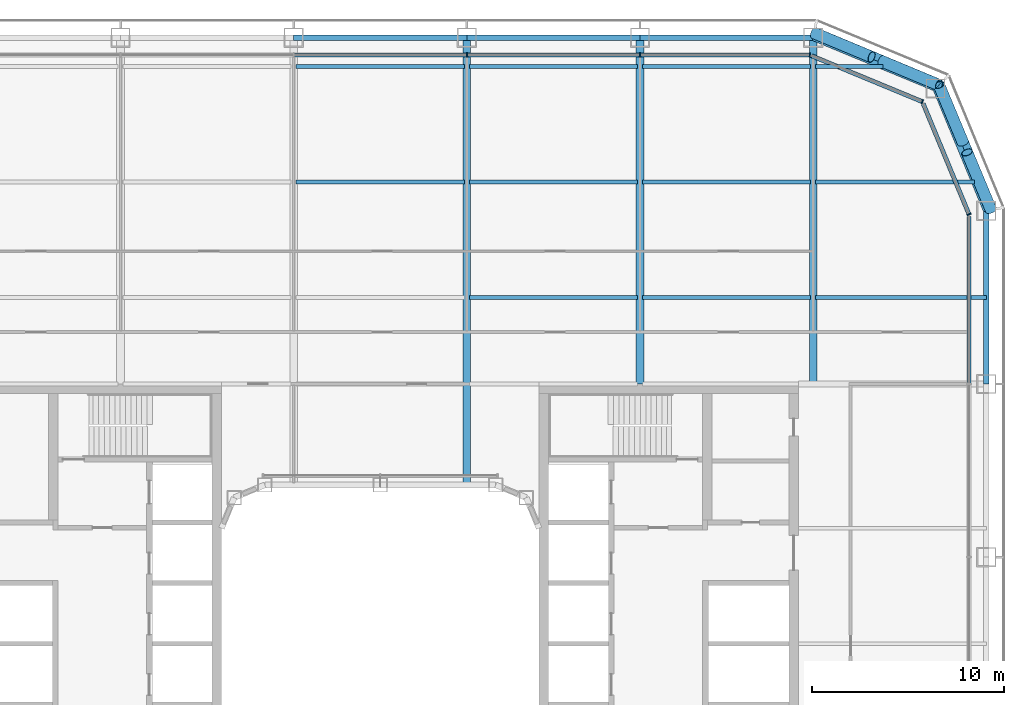
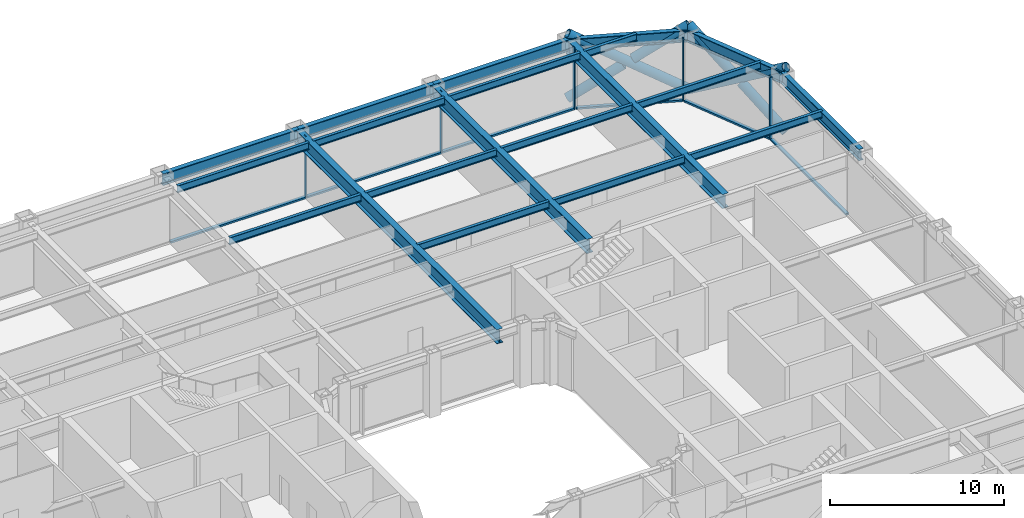
# One storey, part 10 of 24: 20 beams, 17 members, 4 elements without a shape of their own.
"""IFC4 building model written with IfcOpenShell, lengths in metres."""

from ifc_helpers import new_model, si_unit, direction, frame, origin, origin_2d, place, context, subcontext, project, spatial, rectangle, hollow_circle, i_section, extrude, material, layer, layer_set, material_profile, profile_set, type_object, element, aggregate, save


model = new_model("IFC4")

# Units and contexts
model_context = context("Model", 3, precision=1e-05, world=origin(), true_north=direction((0.0, 1.0)))
body_context = subcontext(model_context, "Body", "Model", "MODEL_VIEW")
ifc_project = project(units=[si_unit("LENGTHUNIT", "METRE"), si_unit("AREAUNIT", "SQUARE_METRE"), si_unit("VOLUMEUNIT", "CUBIC_METRE"), si_unit("PLANEANGLEUNIT", "RADIAN"), si_unit("MASSUNIT", "GRAM", prefix="KILO")], contexts=[model_context])

# Site, building, storey
site_placement = place(None, origin())
site = spatial("IfcSite", under=ifc_project, at=site_placement, CompositionType="ELEMENT")
building_placement = place(site_placement, origin())
building = spatial("IfcBuilding", under=site, at=building_placement, Name="Siwar Civic Tower", CompositionType="ELEMENT")
storey_placement = place(building_placement, frame((0.0, 0.0, 76.199951171875)))
storey = spatial("IfcBuildingStorey", under=building, at=storey_placement, Name="L16", CompositionType="ELEMENT", Elevation=76.199951171875)

# Curtain wall, member
ifc_material_1 = material(Name="Aluminium clad insulated panel", Category="aluminium")
ifc_layer_1 = layer(ifc_material_1, 0.219970703125)
ifc_layer_set_1 = layer_set([ifc_layer_1], Name="Aluminium clad insulated panel")
curtain_wall_type_1 = type_object("IfcCurtainWallType", Name="ENV-CW-AX", PredefinedType="NOTDEFINED", material=ifc_layer_set_1)
curtain_wall_1_placement = place(storey_placement, origin())
curtain_wall_1 = element("IfcCurtainWall", 1, at=curtain_wall_1_placement, inside=storey, type_object=curtain_wall_type_1, Name="Curtain wall A NE1", PredefinedType="NOTDEFINED")
ifc_material_2 = material(Name="Aluminium 6063-T6", Category="aluminium")
ifc_material_profile_1 = material_profile(ifc_material_2, rectangle(XDim=0.219970703125, YDim=0.070068359375, at=origin_2d()), Name="AL 220x70")
ifc_profile_set_1 = profile_set([ifc_material_profile_1], Name="Aluminium 6063-T6")
member_type_1 = type_object("IfcMemberType", Name="ENV-MULLION-A", PredefinedType="MULLION", material=ifc_profile_set_1)
member_1_placement = place(storey_placement, frame((30.60009765625, 22.321044921875, 0.0), z_axis=(0.0, 0.0, 1.0), x_axis=(-0.923879532511, -0.382683432365, 0.0)))
member_1 = element("IfcMember", 2, at=member_1_placement, type_object=member_type_1, Name="Mullion A NE1 1", PredefinedType="MULLION", context=body_context, shape_type="SweptSolid", body=[
    extrude(rectangle(XDim=0.219970703125, YDim=0.070068359375, at=origin_2d()), origin(), (0.0, 0.0, 1.0), 4.35009765625),
])

curtain_wall_2_placement = place(storey_placement, origin())
curtain_wall_2 = element("IfcCurtainWall", 3, at=curtain_wall_2_placement, inside=storey, type_object=curtain_wall_type_1, Name="Curtain wall A NE2", PredefinedType="NOTDEFINED")
member_2_placement = place(storey_placement, frame((28.175048828125, 28.175048828125, 0.0), z_axis=(0.0, 0.0, 1.0), x_axis=(-0.382683432365, -0.923879532511, 0.0)))
member_2 = element("IfcMember", 4, at=member_2_placement, type_object=member_type_1, Name="Mullion A NE2 1", PredefinedType="MULLION", context=body_context, shape_type="SweptSolid", body=[
    extrude(rectangle(XDim=0.219970703125, YDim=0.070068359375, at=origin_2d()), origin(), (0.0, 0.0, 1.0), 4.35009765625),
])

# Curtain wall, members
ifc_material_3 = material(Name="Aluminium and glass", Category="aluminium")
ifc_layer_2 = layer(ifc_material_3, 0.219970703125)
ifc_layer_set_2 = layer_set([ifc_layer_2], Name="Aluminium and glass")
curtain_wall_type_2 = type_object("IfcCurtainWallType", Name="ENV-CW-A", PredefinedType="NOTDEFINED", material=ifc_layer_set_2)
curtain_wall_3_placement = place(storey_placement, origin())
curtain_wall_3 = element("IfcCurtainWall", 5, at=curtain_wall_3_placement, inside=storey, type_object=curtain_wall_type_2, Name="Curtain wall A N", PredefinedType="NOTDEFINED")
member_3_placement = place(storey_placement, frame((22.321044921875, 30.60009765625, 0.0), z_axis=(0.0, 0.0, 1.0), x_axis=(0.0, -1.0, 0.0)))
member_3 = element("IfcMember", 6, at=member_3_placement, type_object=member_type_1, Name="Mullion A N 1", PredefinedType="MULLION", context=body_context, shape_type="SweptSolid", body=[
    extrude(rectangle(XDim=0.219970703125, YDim=0.070068359375, at=origin_2d()), origin(), (0.0, 0.0, 1.0), 4.35009765625),
])
member_4_placement = place(storey_placement, frame((13.5, 30.60009765625, 0.0), z_axis=(0.0, 0.0, 1.0), x_axis=(0.0, -1.0, 0.0)))
member_4 = element("IfcMember", 7, at=member_4_placement, type_object=member_type_1, Name="Mullion A N 2", PredefinedType="MULLION", context=body_context, shape_type="SweptSolid", body=[
    extrude(rectangle(XDim=0.219970703125, YDim=0.070068359375, at=origin_2d()), origin(), (0.0, 0.0, 1.0), 4.35009765625),
])
member_5_placement = place(storey_placement, frame((4.5, 30.60009765625, 0.0), z_axis=(0.0, 0.0, 1.0), x_axis=(0.0, -1.0, 0.0)))
member_5 = element("IfcMember", 8, at=member_5_placement, type_object=member_type_1, Name="Mullion A N 3", PredefinedType="MULLION", context=body_context, shape_type="SweptSolid", body=[
    extrude(rectangle(XDim=0.219970703125, YDim=0.070068359375, at=origin_2d()), origin(), (0.0, 0.0, 1.0), 4.35009765625),
])

# Curtain wall, member
curtain_wall_4_placement = place(storey_placement, origin())
curtain_wall_4 = element("IfcCurtainWall", 9, at=curtain_wall_4_placement, inside=storey, type_object=curtain_wall_type_2, Name="Curtain wall A E", PredefinedType="NOTDEFINED")
ifc_material_4 = material(Name="Aluminium 6063-T6", Category="aluminium")
ifc_material_profile_2 = material_profile(ifc_material_4, rectangle(XDim=0.219970703125, YDim=0.1201171875, at=origin_2d()), Name="AL 220x120")
ifc_profile_set_2 = profile_set([ifc_material_profile_2], Name="Aluminium 6063-T6")
member_type_2 = type_object("IfcMemberType", Name="ENV-TRANSOM-A", PredefinedType="USERDEFINED", material=ifc_profile_set_2)
member_6_placement = place(storey_placement, frame((30.60009765625, 13.534912109375, 0.06005859375), z_axis=(0.0, 1.0, 0.0), x_axis=(-1.0, 0.0, 0.0)))
member_6 = element("IfcMember", 10, at=member_6_placement, type_object=member_type_2, Name="Transom A E 5", ObjectType="TRANSOM", PredefinedType="USERDEFINED", context=body_context, shape_type="SweptSolid", body=[
    extrude(rectangle(XDim=0.219970703125, YDim=0.1201171875, at=origin_2d()), origin(), (0.0, 0.0, 1.0), 8.66357421875),
])
aggregate(curtain_wall_4, [member_6])

# Member
member_7_placement = place(storey_placement, frame((30.586669921875, 22.353271484375, 0.06005859375), z_axis=(-0.382698415042, 0.923873326341, 0.0), x_axis=(-0.923873326341, -0.382698415042, 0.0)))
member_7 = element("IfcMember", 11, at=member_7_placement, type_object=member_type_2, Name="Transom A NE1 1", ObjectType="TRANSOM", PredefinedType="USERDEFINED", context=body_context, shape_type="SweptSolid", body=[
    extrude(rectangle(XDim=0.219970703125, YDim=0.1201171875, at=origin_2d()), origin(), (0.0, 0.0, 1.0), 6.17919921875),
])

aggregate(curtain_wall_1, [member_1, member_7])

member_8_placement = place(storey_placement, frame((28.142822265625, 28.1884765625, 0.06005859375), z_axis=(-0.923873326341, 0.382698415042, 0.0), x_axis=(-0.382698415042, -0.923873326341, 0.0)))
member_8 = element("IfcMember", 12, at=member_8_placement, type_object=member_type_2, Name="Transom A NE2 1", ObjectType="TRANSOM", PredefinedType="USERDEFINED", context=body_context, shape_type="SweptSolid", body=[
    extrude(rectangle(XDim=0.219970703125, YDim=0.1201171875, at=origin_2d()), origin(), (0.0, 0.0, 1.0), 6.17919921875),
])

aggregate(curtain_wall_2, [member_2, member_8])

member_9_placement = place(storey_placement, frame((22.285888671875, 30.60009765625, 0.06005859375), z_axis=(-1.0, 0.0, 0.0), x_axis=(0.0, -1.0, 0.0)))
member_9 = element("IfcMember", 13, at=member_9_placement, type_object=member_type_2, Name="Transom A N 1", ObjectType="TRANSOM", PredefinedType="USERDEFINED", context=body_context, shape_type="SweptSolid", body=[
    extrude(rectangle(XDim=0.219970703125, YDim=0.1201171875, at=origin_2d()), origin(), (0.0, 0.0, 1.0), 8.7509765625),
])

member_10_placement = place(storey_placement, frame((13.465087890625, 30.60009765625, 0.06005859375), z_axis=(-1.0, 0.0, 0.0), x_axis=(0.0, -1.0, 0.0)))
member_10 = element("IfcMember", 14, at=member_10_placement, type_object=member_type_2, Name="Transom A N 2", ObjectType="TRANSOM", PredefinedType="USERDEFINED", context=body_context, shape_type="SweptSolid", body=[
    extrude(rectangle(XDim=0.219970703125, YDim=0.1201171875, at=origin_2d()), origin(), (0.0, 0.0, 1.0), 8.93017578125),
])

member_11_placement = place(storey_placement, frame((4.465087890625, 30.60009765625, 0.06005859375), z_axis=(-1.0, 0.0, 0.0), x_axis=(0.0, -1.0, 0.0)))
member_11 = element("IfcMember", 15, at=member_11_placement, type_object=member_type_2, Name="Transom A N 3", ObjectType="TRANSOM", PredefinedType="USERDEFINED", context=body_context, shape_type="SweptSolid", body=[
    extrude(rectangle(XDim=0.219970703125, YDim=0.1201171875, at=origin_2d()), origin(), (0.0, 0.0, 1.0), 8.93017578125),
])

aggregate(curtain_wall_3, [member_3, member_4, member_5, member_9, member_10, member_11])

# Members
ifc_material_5 = material(Name="Steel S355", Category="steel")
ifc_material_profile_3 = material_profile(ifc_material_5, hollow_circle(Radius=0.304931640625, WallThickness=0.030029296875, at=origin_2d()), Name="CHS610x30")
ifc_profile_set_3 = profile_set([ifc_material_profile_3], Name="Steel S355")
member_type_3 = type_object("IfcMemberType", Name="STR-BR-CHS610x30", PredefinedType="BRACE", material=ifc_profile_set_3)
member_12_placement = place(storey_placement, frame((29.040771484375, 29.040771484375, 0.0), z_axis=(-0.777554562952, 0.323905527954, 0.538975055633), x_axis=(-0.384538969033, -0.923108759191, 0.0)))
element("IfcMember", 16, at=member_12_placement, inside=storey, type_object=member_type_3, Name="L16/brc/ANE1-15-0-1", PredefinedType="BRACE", context=body_context, shape_type="SweptSolid", body=[
    extrude(hollow_circle(Radius=0.304931640625, WallThickness=0.030029296875, at=origin_2d()), origin(), (0.0, 0.0, 1.0), 8.34912109375),
])
member_13_placement = place(storey_placement, frame((22.548828125, 31.7451171875, 0.0), z_axis=(0.777533059308, -0.323882123145, 0.539020140617), x_axis=(0.384524353215, 0.923114847559, 0.0)))
element("IfcMember", 17, at=member_13_placement, inside=storey, type_object=member_type_3, Name="L16/brc/ANE1-15-0-2", PredefinedType="BRACE", context=body_context, shape_type="SweptSolid", body=[
    extrude(hollow_circle(Radius=0.304931640625, WallThickness=0.030029296875, at=origin_2d()), origin(), (0.0, 0.0, 1.0), 3.843505859375),
])
member_14_placement = place(storey_placement, frame((26.052001953125, 30.285888671875, 2.428466796875), z_axis=(0.777568797048, -0.323934068367, 0.538937366685), x_axis=(0.384561842466, 0.923099230484, 0.0)))
element("IfcMember", 18, at=member_14_placement, inside=storey, type_object=member_type_3, Name="L16/brc/ANE1-15-0-3", PredefinedType="BRACE", context=body_context, shape_type="SweptSolid", body=[
    extrude(hollow_circle(Radius=0.304931640625, WallThickness=0.030029296875, at=origin_2d()), origin(), (0.0, 0.0, 1.0), 3.84375),
])
member_15_placement = place(storey_placement, frame((29.040771484375, 29.040771484375, 0.0), z_axis=(0.323905527954, -0.777554562952, 0.538975055633), x_axis=(0.923108759191, 0.384538969033, 0.0)))
element("IfcMember", 19, at=member_15_placement, inside=storey, type_object=member_type_3, Name="L16/brc/ANE1-15-0-0", PredefinedType="BRACE", context=body_context, shape_type="SweptSolid", body=[
    extrude(hollow_circle(Radius=0.304931640625, WallThickness=0.030029296875, at=origin_2d()), origin(), (0.0, 0.0, 1.0), 8.34912109375),
])
member_16_placement = place(storey_placement, frame((31.7451171875, 22.548828125, 0.0), z_axis=(-0.323882123145, 0.777533059308, 0.539020140617), x_axis=(-0.923114847559, -0.384524353215, 0.0)))
element("IfcMember", 20, at=member_16_placement, inside=storey, type_object=member_type_3, Name="L16/brc/ANE1-15-0-4", PredefinedType="BRACE", context=body_context, shape_type="SweptSolid", body=[
    extrude(hollow_circle(Radius=0.304931640625, WallThickness=0.030029296875, at=origin_2d()), origin(), (0.0, 0.0, 1.0), 3.843505859375),
])
member_17_placement = place(storey_placement, frame((30.285888671875, 26.052001953125, 2.428466796875), z_axis=(-0.323934068367, 0.777568797048, 0.538937366685), x_axis=(-0.923099230484, -0.384561842466, 0.0)))
element("IfcMember", 21, at=member_17_placement, inside=storey, type_object=member_type_3, Name="L16/brc/ANE1-15-0-5", PredefinedType="BRACE", context=body_context, shape_type="SweptSolid", body=[
    extrude(hollow_circle(Radius=0.304931640625, WallThickness=0.030029296875, at=origin_2d()), origin(), (0.0, 0.0, 1.0), 3.84375),
])

# Beams
ifc_material_6 = material(Name="Steel S355", Category="steel")
ifc_material_profile_4 = material_profile(ifc_material_6, i_section(OverallWidth=0.199951171875, OverallDepth=0.5, WebThickness=0.01025390625, FlangeThickness=0.01611328125, FilletRadius=0.02099609375, at=origin_2d()), Name="IPE500")
ifc_profile_set_4 = profile_set([ifc_material_profile_4], Name="Steel S355")
beam_type_1 = type_object("IfcBeamType", Name="STR-FB-IPE500", PredefinedType="JOIST", material=ifc_profile_set_4)
for number, where, z_axis, x_axis, name in (
    (22, (4.6298828125, 18.0, 4.10009765625), (1.0, 0.0, 0.0), (0.0, 1.0, 0.0), "L16/bm/F050"),
    (23, (13.6298828125, 18.0, 4.10009765625), (1.0, 0.0, 0.0), (0.0, 1.0, 0.0), "L16/bm/F051"),
):
    element("IfcBeam", number, at=place(storey_placement, frame(where, z_axis=z_axis, x_axis=x_axis)), inside=storey, type_object=beam_type_1, Name=name, PredefinedType="JOIST", context=body_context, shape_type="SweptSolid", body=[
        extrude(i_section(OverallWidth=0.199951171875, OverallDepth=0.5, WebThickness=0.01025390625, FlangeThickness=0.01611328125, FilletRadius=0.02099609375, at=origin_2d()), origin(), (0.0, 0.0, 1.0), 8.740234375),
    ])
beam_1_placement = place(storey_placement, frame((22.6298828125, 18.0, 4.10009765625), z_axis=(1.0, 0.0, 0.0), x_axis=(0.0, 1.0, 0.0)))
element("IfcBeam", 24, at=beam_1_placement, inside=storey, type_object=beam_type_1, Name="L16/bm/F052", PredefinedType="JOIST", context=body_context, shape_type="SweptSolid", body=[
    extrude(i_section(OverallWidth=0.199951171875, OverallDepth=0.5, WebThickness=0.01025390625, FlangeThickness=0.01611328125, FilletRadius=0.02099609375, at=origin_2d()), origin(), (0.0, 0.0, 1.0), 8.8701171875),
])
for number, where, z_axis, x_axis, name in (
    (25, (-4.3701171875, 24.0, 4.10009765625), (1.0, 0.0, 0.0), (0.0, 1.0, 0.0), "L16/bm/F056"),
    (26, (4.6298828125, 24.0, 4.10009765625), (1.0, 0.0, 0.0), (0.0, 1.0, 0.0), "L16/bm/F057"),
    (27, (13.6298828125, 24.0, 4.10009765625), (1.0, 0.0, 0.0), (0.0, 1.0, 0.0), "L16/bm/F058"),
):
    element("IfcBeam", number, at=place(storey_placement, frame(where, z_axis=z_axis, x_axis=x_axis)), inside=storey, type_object=beam_type_1, Name=name, PredefinedType="JOIST", context=body_context, shape_type="SweptSolid", body=[
        extrude(i_section(OverallWidth=0.199951171875, OverallDepth=0.5, WebThickness=0.01025390625, FlangeThickness=0.01611328125, FilletRadius=0.02099609375, at=origin_2d()), origin(), (0.0, 0.0, 1.0), 8.740234375),
    ])
beam_2_placement = place(storey_placement, frame((22.6298828125, 24.0, 4.10009765625), z_axis=(1.0, 0.0, 0.0), x_axis=(0.0, 1.0, 0.0)))
element("IfcBeam", 28, at=beam_2_placement, inside=storey, type_object=beam_type_1, Name="L16/bm/F059", PredefinedType="JOIST", context=body_context, shape_type="SweptSolid", body=[
    extrude(i_section(OverallWidth=0.199951171875, OverallDepth=0.5, WebThickness=0.01025390625, FlangeThickness=0.01611328125, FilletRadius=0.02099609375, at=origin_2d()), origin(), (0.0, 0.0, 1.0), 8.248779296875),
])
for number, where, z_axis, x_axis, name in (
    (29, (-4.3701171875, 30.0, 4.10009765625), (1.0, 0.0, 0.0), (0.0, 1.0, 0.0), "L16/bm/F063"),
    (30, (4.6298828125, 30.0, 4.10009765625), (1.0, 0.0, 0.0), (0.0, 1.0, 0.0), "L16/bm/F064"),
    (31, (13.6298828125, 30.0, 4.10009765625), (1.0, 0.0, 0.0), (0.0, 1.0, 0.0), "L16/bm/F065"),
):
    element("IfcBeam", number, at=place(storey_placement, frame(where, z_axis=z_axis, x_axis=x_axis)), inside=storey, type_object=beam_type_1, Name=name, PredefinedType="JOIST", context=body_context, shape_type="SweptSolid", body=[
        extrude(i_section(OverallWidth=0.199951171875, OverallDepth=0.5, WebThickness=0.01025390625, FlangeThickness=0.01611328125, FilletRadius=0.02099609375, at=origin_2d()), origin(), (0.0, 0.0, 1.0), 8.740234375),
    ])
beam_3_placement = place(storey_placement, frame((22.6298828125, 30.0, 4.10009765625), z_axis=(1.0, 0.0, 0.0), x_axis=(0.0, 1.0, 0.0)))
element("IfcBeam", 32, at=beam_3_placement, inside=storey, type_object=beam_type_1, Name="L16/bm/F066", PredefinedType="JOIST", context=body_context, shape_type="SweptSolid", body=[
    extrude(i_section(OverallWidth=0.199951171875, OverallDepth=0.5, WebThickness=0.01025390625, FlangeThickness=0.01611328125, FilletRadius=0.02099609375, at=origin_2d()), origin(), (0.0, 0.0, 1.0), 3.491455078125),
])
ifc_material_7 = material(Name="Steel S355", Category="steel")
ifc_material_profile_5 = material_profile(ifc_material_7, i_section(OverallWidth=0.39990234375, OverallDepth=1.0, WebThickness=0.01611328125, FlangeThickness=0.0400390625, at=origin_2d()), Name="PG1000x400x16x40")
ifc_profile_set_5 = profile_set([ifc_material_profile_5], Name="Steel S355")
beam_type_2 = type_object("IfcBeamType", Name="STR-PG-PG1000x400x16x40", PredefinedType="BEAM", material=ifc_profile_set_5)
beam_4_placement = place(storey_placement, frame((4.5, 8.25, 3.85009765625), z_axis=(0.0, 1.0, 0.0), x_axis=(-1.0, 0.0, 0.0)))
element("IfcBeam", 33, at=beam_4_placement, inside=storey, type_object=beam_type_2, Name="L16/bm/G08", PredefinedType="BEAM", context=body_context, shape_type="SweptSolid", body=[
    extrude(i_section(OverallWidth=0.39990234375, OverallDepth=1.0, WebThickness=0.01611328125, FlangeThickness=0.0400390625, at=origin_2d()), origin(), (0.0, 0.0, 1.0), 23.25),
])
for number, where, z_axis, x_axis, name in (
    (34, (13.5, 13.5, 3.85009765625), (0.0, 1.0, 0.0), (-1.0, 0.0, 0.0), "L16/bm/G10"),
    (35, (22.5, 13.5, 3.85009765625), (0.0, 1.0, 0.0), (-1.0, 0.0, 0.0), "L16/bm/G12"),
):
    element("IfcBeam", number, at=place(storey_placement, frame(where, z_axis=z_axis, x_axis=x_axis)), inside=storey, type_object=beam_type_2, Name=name, PredefinedType="BEAM", context=body_context, shape_type="SweptSolid", body=[
        extrude(i_section(OverallWidth=0.39990234375, OverallDepth=1.0, WebThickness=0.01611328125, FlangeThickness=0.0400390625, at=origin_2d()), origin(), (0.0, 0.0, 1.0), 18.0),
    ])
ifc_material_8 = material(Name="Steel S355", Category="steel")
ifc_material_profile_6 = material_profile(ifc_material_8, i_section(OverallWidth=0.302978515625, OverallDepth=0.81396484375, WebThickness=0.02099609375, FlangeThickness=0.0400390625, FilletRadius=0.030029296875, at=origin_2d()), Name="HEM800")
ifc_profile_set_6 = profile_set([ifc_material_profile_6], Name="Steel S355")
beam_type_3 = type_object("IfcBeamType", Name="STR-SB-HEM800", PredefinedType="BEAM", material=ifc_profile_set_6)
beam_5_placement = place(storey_placement, frame((31.5, 13.5, 3.943115234375), z_axis=(0.0, 1.0, 0.0), x_axis=(-1.0, 0.0, 0.0)))
element("IfcBeam", 36, at=beam_5_placement, inside=storey, type_object=beam_type_3, Name="L16/bm/SE-4", PredefinedType="BEAM", context=body_context, shape_type="SweptSolid", body=[
    extrude(i_section(OverallWidth=0.302978515625, OverallDepth=0.81396484375, WebThickness=0.02099609375, FlangeThickness=0.0400390625, FilletRadius=0.030029296875, at=origin_2d()), origin(), (0.0, 0.0, 1.0), 9.0),
])
for number, where, z_axis, x_axis, name in (
    (37, (31.5, 22.5, 3.943115234375), (-0.382674207535, 0.923883353507, 0.0), (-0.923883353507, -0.382674207535, 0.0), "L16/bm/SNE1-0"),
    (38, (28.864013671875, 28.864013671875, 3.943115234375), (-0.923883353507, 0.382674207535, 0.0), (-0.382674207535, -0.923883353507, 0.0), "L16/bm/SNE2-0"),
):
    element("IfcBeam", number, at=place(storey_placement, frame(where, z_axis=z_axis, x_axis=x_axis)), inside=storey, type_object=beam_type_3, Name=name, PredefinedType="BEAM", context=body_context, shape_type="SweptSolid", body=[
        extrude(i_section(OverallWidth=0.302978515625, OverallDepth=0.81396484375, WebThickness=0.02099609375, FlangeThickness=0.0400390625, FilletRadius=0.030029296875, at=origin_2d()), origin(), (0.0, 0.0, 1.0), 6.888427734375),
    ])
for number, where, z_axis, x_axis, name in (
    (39, (22.5, 31.5, 3.943115234375), (-1.0, 0.0, 0.0), (0.0, -1.0, 0.0), "L16/bm/SN-0"),
    (40, (13.5, 31.5, 3.943115234375), (-1.0, 0.0, 0.0), (0.0, -1.0, 0.0), "L16/bm/SN-1"),
    (41, (4.5, 31.5, 3.943115234375), (-1.0, 0.0, 0.0), (0.0, -1.0, 0.0), "L16/bm/SN-2"),
):
    element("IfcBeam", number, at=place(storey_placement, frame(where, z_axis=z_axis, x_axis=x_axis)), inside=storey, type_object=beam_type_3, Name=name, PredefinedType="BEAM", context=body_context, shape_type="SweptSolid", body=[
        extrude(i_section(OverallWidth=0.302978515625, OverallDepth=0.81396484375, WebThickness=0.02099609375, FlangeThickness=0.0400390625, FilletRadius=0.030029296875, at=origin_2d()), origin(), (0.0, 0.0, 1.0), 9.0),
    ])

save(model, "model.ifc")
